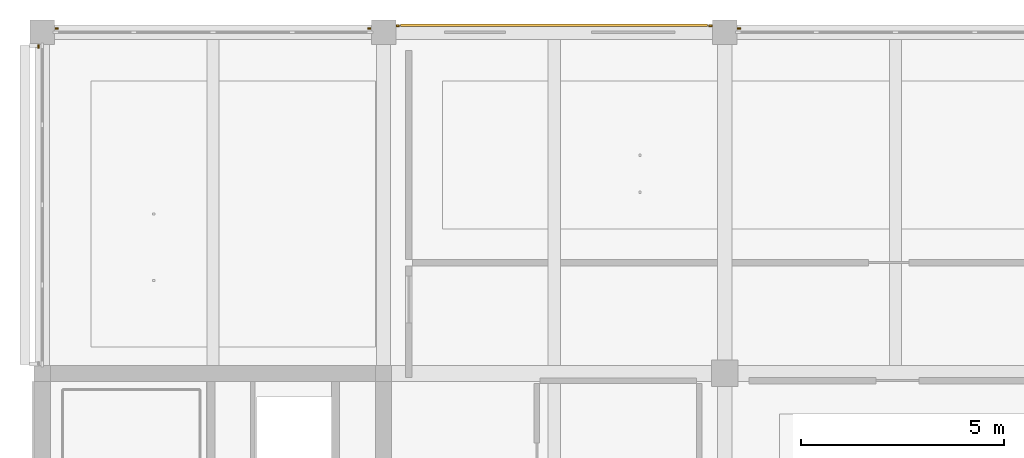
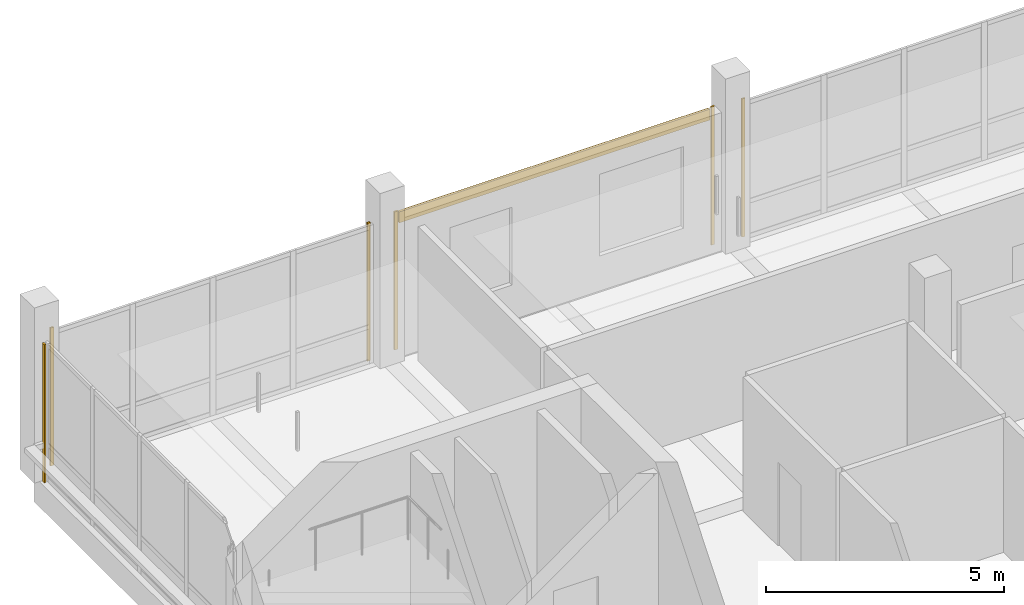
# One storey, part 28 of 29: 7 coverings.
"""IFC4 building model written with IfcOpenShell, lengths in metres."""

from ifc_helpers import new_model, si_unit, direction, frame, origin, origin_2d, place, context, subcontext, project, spatial, rectangle, extrude, material, layer, layer_set, type_object, element, save


model = new_model("IFC4")

# Units and contexts
model_context = context("Model", 3, precision=1e-05, world=origin(), true_north=direction((0.0, 1.0)))
body_context = subcontext(model_context, "Body", "Model", "MODEL_VIEW")
ifc_project = project(units=[si_unit("LENGTHUNIT", "METRE"), si_unit("AREAUNIT", "SQUARE_METRE"), si_unit("VOLUMEUNIT", "CUBIC_METRE"), si_unit("PLANEANGLEUNIT", "RADIAN"), si_unit("MASSUNIT", "GRAM", prefix="KILO")], contexts=[model_context])

# Site, building, storey
site_placement = place(None, origin())
site = spatial("IfcSite", under=ifc_project, at=site_placement, CompositionType="ELEMENT")
building_placement = place(site_placement, origin())
building = spatial("IfcBuilding", under=site, at=building_placement, Name="Telukmera Botanical Conservatory", CompositionType="ELEMENT")
storey_placement = place(building_placement, frame((0.0, 0.0, 55.5)))
storey = spatial("IfcBuildingStorey", under=building, at=storey_placement, Name="L12", CompositionType="ELEMENT", Elevation=55.5)

# Coverings
ifc_material_1 = material(Name="Granite-faced precast concrete C40/50", Category="masonry")
ifc_layer_1 = layer(ifc_material_1, 0.0400390625)
ifc_layer_set_1 = layer_set([ifc_layer_1], Name="Granite-faced precast concrete C40/50")
covering_type_1 = type_object("IfcCoveringType", Name="Granite Precast Column Pier Reveal Casing", PredefinedType="CLADDING", material=ifc_layer_set_1)
for number, where, z_axis, x_axis, name in (
    (1, (59.152099609375, 42.889892578125, 0.0), (0.0, 0.0, 1.0), (1.0, 0.0, 0.0), "Granite Pier Reveal V4:L12:N1 L"),
    (2, (66.847900390625, 42.889892578125, 0.0), (0.0, 0.0, 1.0), (1.0, 0.0, 0.0), "Granite Pier Reveal V4:L12:N1 R"),
    (3, (67.552001953125, 42.9599609375, 0.0), (0.0, 0.0, 1.0), (1.0, 0.0, 0.0), "Granite Pier Reveal V4:L12:N2 L"),
    (4, (75.248046875, 42.9599609375, 0.0), (0.0, 0.0, 1.0), (1.0, 0.0, 0.0), "Granite Pier Reveal V4:L12:N2 R"),
    (5, (75.951904296875, 42.889892578125, 0.0), (0.0, 0.0, 1.0), (1.0, 0.0, 0.0), "Granite Pier Reveal V4:L12:N3 L"),
    (6, (58.7099609375, 42.447998046875, 0.0), (0.0, 0.0, 1.0), (0.0, 1.0, 0.0), "Granite Pier Reveal V4:L12:W4 R"),
):
    element("IfcCovering", number, at=place(storey_placement, frame(where, z_axis=z_axis, x_axis=x_axis)), inside=storey, type_object=covering_type_1, Name=name, PredefinedType="CLADDING", context=body_context, shape_type="SweptSolid", body=[
        extrude(rectangle(XDim=0.080078125, YDim=0.0400390625, at=origin_2d()), origin(), (0.0, 0.0, 1.0), 3.550048828125),
    ])
ifc_material_2 = material(Name="Terracotta-faced precast concrete C40/50", Category="masonry")
ifc_layer_2 = layer(ifc_material_2, 0.06005859375)
ifc_layer_set_2 = layer_set([ifc_layer_2], Name="Terracotta-faced precast concrete C40/50")
covering_type_2 = type_object("IfcCoveringType", Name="Polychrome Terracotta Facade Band Cladding", PredefinedType="CLADDING", material=ifc_layer_set_2)
covering_placement = place(storey_placement, frame((71.39990234375, 42.969970703125, 3.22998046875), z_axis=(0.0, 0.0, 1.0), x_axis=(1.0, 0.0, 0.0)))
element("IfcCovering", 7, at=covering_placement, inside=storey, type_object=covering_type_2, Name="Polychrome Terracotta Band V4:L12:N2", PredefinedType="CLADDING", context=body_context, shape_type="SweptSolid", body=[
    extrude(rectangle(XDim=7.555908203125, YDim=0.06005859375, at=origin_2d()), origin(), (0.0, 0.0, 1.0), 0.280029296875),
])

save(model, "model.ifc")
